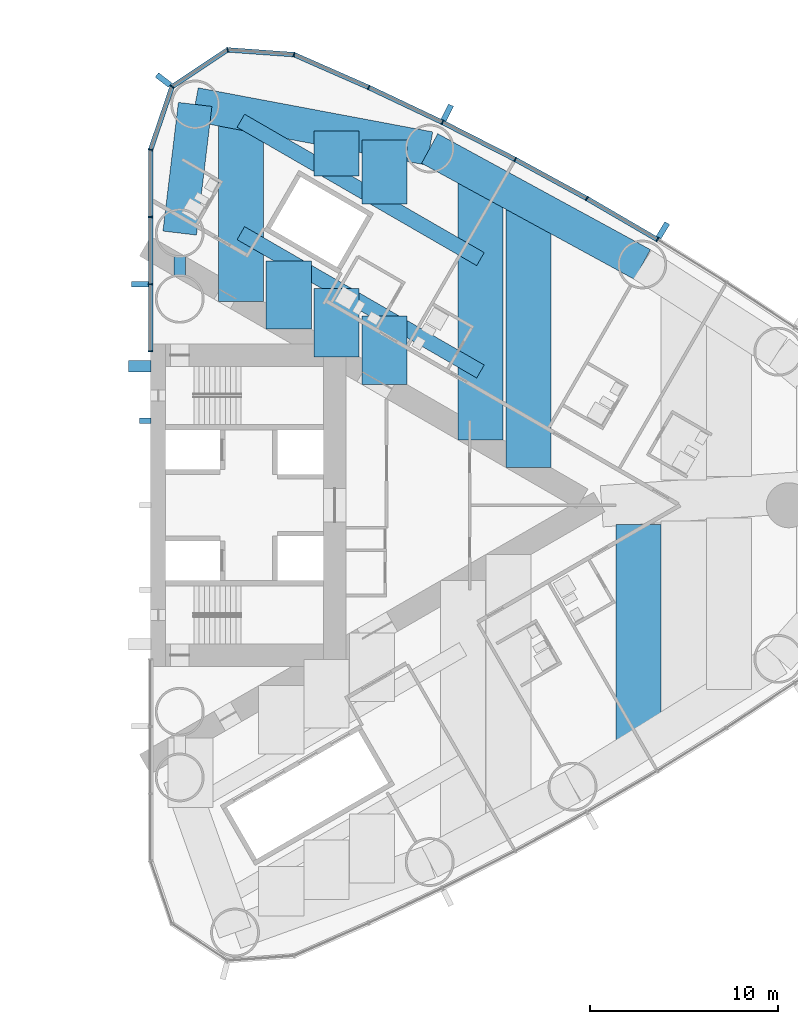
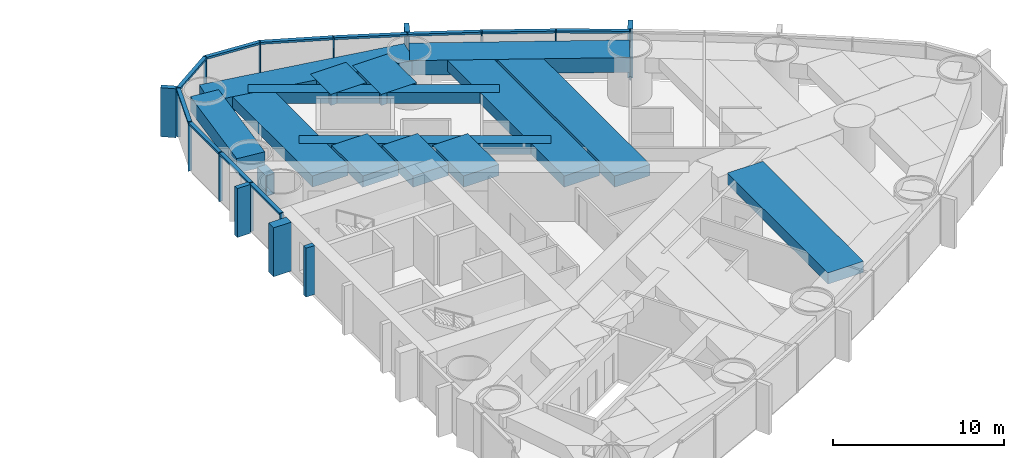
# One storey, part 7 of 18: 29 members, 15 beams, 1 element without a shape of its own.
"""IFC4 building model written with IfcOpenShell, lengths in metres."""

from ifc_helpers import new_model, si_unit, direction, frame, origin, origin_2d, place, context, subcontext, project, spatial, rectangle, hollow_rectangle, extrude, material, material_profile, profile_set, type_object, element, aggregate, save


model = new_model("IFC4")

# Units and contexts
model_context = context("Model", 3, precision=1e-05, world=origin(), true_north=direction((0.0, 1.0)))
body_context = subcontext(model_context, "Body", "Model", "MODEL_VIEW")
ifc_project = project(units=[si_unit("LENGTHUNIT", "METRE"), si_unit("AREAUNIT", "SQUARE_METRE"), si_unit("VOLUMEUNIT", "CUBIC_METRE"), si_unit("PLANEANGLEUNIT", "RADIAN"), si_unit("MASSUNIT", "GRAM", prefix="KILO")], contexts=[model_context])

# Site, building, storey
site_placement = place(None, origin())
site = spatial("IfcSite", under=ifc_project, at=site_placement, CompositionType="ELEMENT")
building_placement = place(site_placement, origin())
building = spatial("IfcBuilding", under=site, at=building_placement, Name="Lancet Gate Hotel", CompositionType="ELEMENT")
storey_placement = place(building_placement, frame((0.0, 0.0, 129.10009765625)))
storey = spatial("IfcBuildingStorey", under=building, at=storey_placement, Name="L34", CompositionType="ELEMENT", Elevation=129.10009765625)

# Curtain wall, members
ifc_material_1 = material(Name="Aluminium curtain wall", Category="aluminium")
curtain_wall_type = type_object("IfcCurtainWallType", Name="Tower unitised curtain wall", PredefinedType="USERDEFINED", material=ifc_material_1)
curtain_wall_placement = place(storey_placement, origin())
curtain_wall = element("IfcCurtainWall", 1, at=curtain_wall_placement, inside=storey, type_object=curtain_wall_type, Name="T2 L34 curtain wall 1", ObjectType="UNITISED CURTAIN WALL", PredefinedType="USERDEFINED")
ifc_material_2 = material(Name="Aluminium mullion", Category="aluminium")
ifc_material_profile_1 = material_profile(ifc_material_2, rectangle(XDim=0.06494140625, YDim=0.25, at=origin_2d()), Name="MULLION 65x250")
ifc_profile_set_1 = profile_set([ifc_material_profile_1], Name="Aluminium mullion")
member_type_1 = type_object("IfcMemberType", Name="Aluminium mullion 65x250", PredefinedType="MULLION", material=ifc_profile_set_1)
member_1_placement = place(storey_placement, frame((54.496337890625, 14.1552734375, 0.0), z_axis=(0.0, 0.0, 1.0), x_axis=(-0.856728030701, 0.515768437781, 0.0)))
member_1 = element("IfcMember", 2, at=member_1_placement, type_object=member_type_1, Name="T2 L34 curtain wall 1 mullion 23", PredefinedType="MULLION", context=body_context, shape_type="SweptSolid", body=[
    extrude(rectangle(XDim=0.06494140625, YDim=0.25, at=origin_2d()), origin(), (0.0, 0.0, 1.0), 3.5),
])
member_2_placement = place(storey_placement, frame((50.740478515625, 16.344482421875, 0.0), z_axis=(0.0, 0.0, 1.0), x_axis=(-0.871028838445, 0.491231882716, 0.0)))
member_2 = element("IfcMember", 3, at=member_2_placement, type_object=member_type_1, Name="T2 L34 curtain wall 1 mullion 24", PredefinedType="MULLION", context=body_context, shape_type="SweptSolid", body=[
    extrude(rectangle(XDim=0.06494140625, YDim=0.25, at=origin_2d()), origin(), (0.0, 0.0, 1.0), 3.5),
])
member_3_placement = place(storey_placement, frame((46.923828125, 18.426025390625, 0.0), z_axis=(0.0, 0.0, 1.0), x_axis=(-0.884627112962, 0.466299121822, 0.0)))
member_3 = element("IfcMember", 4, at=member_3_placement, type_object=member_type_1, Name="T2 L34 curtain wall 1 mullion 25", PredefinedType="MULLION", context=body_context, shape_type="SweptSolid", body=[
    extrude(rectangle(XDim=0.06494140625, YDim=0.25, at=origin_2d()), origin(), (0.0, 0.0, 1.0), 3.5),
])
member_4_placement = place(storey_placement, frame((43.0498046875, 20.398193359375, 0.0), z_axis=(0.0, 0.0, 1.0), x_axis=(-0.897511886496, 0.440990264743, 0.0)))
member_4 = element("IfcMember", 5, at=member_4_placement, type_object=member_type_1, Name="T2 L34 curtain wall 1 mullion 26", PredefinedType="MULLION", context=body_context, shape_type="SweptSolid", body=[
    extrude(rectangle(XDim=0.06494140625, YDim=0.25, at=origin_2d()), origin(), (0.0, 0.0, 1.0), 3.5),
])
member_5_placement = place(storey_placement, frame((39.12109375, 22.259765625, 0.0), z_axis=(0.0, 0.0, 1.0), x_axis=(-0.909672766767, 0.415325724465, 0.0)))
member_5 = element("IfcMember", 6, at=member_5_placement, type_object=member_type_1, Name="T2 L34 curtain wall 1 mullion 27", PredefinedType="MULLION", context=body_context, shape_type="SweptSolid", body=[
    extrude(rectangle(XDim=0.06494140625, YDim=0.25, at=origin_2d()), origin(), (0.0, 0.0, 1.0), 3.5),
])
member_6_placement = place(storey_placement, frame((35.141357421875, 24.009033203125, 0.0), z_axis=(0.0, 0.0, 1.0), x_axis=(-0.966317378791, 0.257353304711, 0.0)))
member_6 = element("IfcMember", 7, at=member_6_placement, type_object=member_type_1, Name="T2 L34 curtain wall 1 mullion 28", PredefinedType="MULLION", context=body_context, shape_type="SweptSolid", body=[
    extrude(rectangle(XDim=0.06494140625, YDim=0.25, at=origin_2d()), origin(), (0.0, 0.0, 1.0), 3.5),
])
member_7_placement = place(storey_placement, frame((31.60205078125, 24.26220703125, 0.0), z_axis=(0.0, 0.0, 1.0), x_axis=(-0.967157174963, -0.254179068604, 0.0)))
member_7 = element("IfcMember", 8, at=member_7_placement, type_object=member_type_1, Name="T2 L34 curtain wall 1 mullion 29", PredefinedType="MULLION", context=body_context, shape_type="SweptSolid", body=[
    extrude(rectangle(XDim=0.06494140625, YDim=0.25, at=origin_2d()), origin(), (0.0, 0.0, 1.0), 3.5),
])
member_8_placement = place(storey_placement, frame((28.64453125, 22.301513671875, 0.0), z_axis=(0.0, 0.0, 1.0), x_axis=(-0.610663954798, -0.79188984986, 0.0)))
member_8 = element("IfcMember", 9, at=member_8_placement, type_object=member_type_1, Name="T2 L34 curtain wall 1 mullion 30", PredefinedType="MULLION", context=body_context, shape_type="SweptSolid", body=[
    extrude(rectangle(XDim=0.06494140625, YDim=0.25, at=origin_2d()), origin(), (0.0, 0.0, 1.0), 3.5),
])
member_9_placement = place(storey_placement, frame((27.5, 18.94287109375, 0.0), z_axis=(0.0, 0.0, 1.0), x_axis=(-0.162738742557, -0.986669195663, 0.0)))
member_9 = element("IfcMember", 10, at=member_9_placement, type_object=member_type_1, Name="T2 L34 curtain wall 1 mullion 31", PredefinedType="MULLION", context=body_context, shape_type="SweptSolid", body=[
    extrude(rectangle(XDim=0.06494140625, YDim=0.25, at=origin_2d()), origin(), (0.0, 0.0, 1.0), 3.5),
])
member_10_placement = place(storey_placement, frame((27.5, 15.362060546875, 0.0), z_axis=(0.0, 0.0, 1.0), x_axis=(0.0, -1.0, 0.0)))
member_10 = element("IfcMember", 11, at=member_10_placement, type_object=member_type_1, Name="T2 L34 curtain wall 1 mullion 32", PredefinedType="MULLION", context=body_context, shape_type="SweptSolid", body=[
    extrude(rectangle(XDim=0.06494140625, YDim=0.25, at=origin_2d()), origin(), (0.0, 0.0, 1.0), 3.5),
])
member_11_placement = place(storey_placement, frame((27.5, 11.781005859375, 0.0), z_axis=(0.0, 0.0, 1.0), x_axis=(0.0, -1.0, 0.0)))
member_11 = element("IfcMember", 12, at=member_11_placement, type_object=member_type_1, Name="T2 L34 curtain wall 1 mullion 33", PredefinedType="MULLION", context=body_context, shape_type="SweptSolid", body=[
    extrude(rectangle(XDim=0.06494140625, YDim=0.25, at=origin_2d()), origin(), (0.0, 0.0, 1.0), 3.5),
])
member_12_placement = place(storey_placement, frame((27.5, 8.199951171875, 0.0), z_axis=(0.0, 0.0, 1.0), x_axis=(0.0, -1.0, 0.0)))
member_12 = element("IfcMember", 13, at=member_12_placement, type_object=member_type_1, Name="T2 L34 curtain wall 1 mullion 34", PredefinedType="MULLION", context=body_context, shape_type="SweptSolid", body=[
    extrude(rectangle(XDim=0.06494140625, YDim=0.25, at=origin_2d()), origin(), (0.0, 0.0, 1.0), 3.5),
])
ifc_material_3 = material(Name="Aluminium transom", Category="aluminium")
ifc_material_profile_2 = material_profile(ifc_material_3, rectangle(XDim=0.25, YDim=0.14990234375, at=origin_2d()), Name="TRANSOM 250x150")
ifc_profile_set_2 = profile_set([ifc_material_profile_2], Name="Aluminium transom")
member_type_2 = type_object("IfcMemberType", Name="Aluminium transom 250x150", PredefinedType="USERDEFINED", material=ifc_profile_set_2)
member_13_placement = place(storey_placement, frame((54.46826171875, 14.171630859375, 3.4248046875), z_axis=(-0.863973212152, 0.503537772847, 0.0), x_axis=(-0.503537772847, -0.863973212152, 0.0)))
member_13 = element("IfcMember", 14, at=member_13_placement, type_object=member_type_2, Name="T2 L34 curtain wall 1 transom 23", ObjectType="TRANSOM", PredefinedType="USERDEFINED", context=body_context, shape_type="SweptSolid", body=[
    extrude(rectangle(XDim=0.25, YDim=0.14990234375, at=origin_2d()), origin(), (0.0, 0.0, 1.0), 4.2822265625),
])
member_14_placement = place(storey_placement, frame((50.7119140625, 16.35986328125, 3.4248046875), z_axis=(-0.877906466435, 0.478832158685, 0.0), x_axis=(-0.478832158685, -0.877906466435, 0.0)))
member_14 = element("IfcMember", 15, at=member_14_placement, type_object=member_type_2, Name="T2 L34 curtain wall 1 transom 24", ObjectType="TRANSOM", PredefinedType="USERDEFINED", context=body_context, shape_type="SweptSolid", body=[
    extrude(rectangle(XDim=0.25, YDim=0.14990234375, at=origin_2d()), origin(), (0.0, 0.0, 1.0), 4.282470703125),
])
member_15_placement = place(storey_placement, frame((46.89501953125, 18.440673828125, 3.4248046875), z_axis=(-0.891165630033, 0.453678101574, 0.0), x_axis=(-0.453678101574, -0.891165630033, 0.0)))
member_15 = element("IfcMember", 16, at=member_15_placement, type_object=member_type_2, Name="T2 L34 curtain wall 1 transom 25", ObjectType="TRANSOM", PredefinedType="USERDEFINED", context=body_context, shape_type="SweptSolid", body=[
    extrude(rectangle(XDim=0.25, YDim=0.14990234375, at=origin_2d()), origin(), (0.0, 0.0, 1.0), 4.282470703125),
])
member_16_placement = place(storey_placement, frame((43.0205078125, 20.412109375, 3.4248046875), z_axis=(-0.903679787814, 0.428208875546, 0.0), x_axis=(-0.428208875546, -0.903679787814, 0.0)))
member_16 = element("IfcMember", 17, at=member_16_placement, type_object=member_type_2, Name="T2 L34 curtain wall 1 transom 26", ObjectType="TRANSOM", PredefinedType="USERDEFINED", context=body_context, shape_type="SweptSolid", body=[
    extrude(rectangle(XDim=0.25, YDim=0.14990234375, at=origin_2d()), origin(), (0.0, 0.0, 1.0), 4.282470703125),
])
member_17_placement = place(storey_placement, frame((39.09130859375, 22.27294921875, 3.4248046875), z_axis=(-0.915484772266, 0.402352621155, 0.0), x_axis=(-0.402352621155, -0.915484772266, 0.0)))
member_17 = element("IfcMember", 18, at=member_17_placement, type_object=member_type_2, Name="T2 L34 curtain wall 1 transom 27", ObjectType="TRANSOM", PredefinedType="USERDEFINED", context=body_context, shape_type="SweptSolid", body=[
    extrude(rectangle(XDim=0.25, YDim=0.14990234375, at=origin_2d()), origin(), (0.0, 0.0, 1.0), 4.281982421875),
])
member_18_placement = place(storey_placement, frame((35.10888671875, 24.01123046875, 3.4248046875), z_axis=(-0.997446232115, 0.071421383636, 0.0), x_axis=(-0.071421383636, -0.997446232115, 0.0)))
member_18 = element("IfcMember", 19, at=member_18_placement, type_object=member_type_2, Name="T2 L34 curtain wall 1 transom 28", ObjectType="TRANSOM", PredefinedType="USERDEFINED", context=body_context, shape_type="SweptSolid", body=[
    extrude(rectangle(XDim=0.25, YDim=0.14990234375, at=origin_2d()), origin(), (0.0, 0.0, 1.0), 3.483154296875),
])
member_19_placement = place(storey_placement, frame((31.574951171875, 24.244384765625, 3.4248046875), z_axis=(-0.833470854141, -0.552563421968, 0.0), x_axis=(0.552563421968, -0.833470854141, 0.0)))
member_19 = element("IfcMember", 20, at=member_19_placement, type_object=member_type_2, Name="T2 L34 curtain wall 1 transom 29", ObjectType="TRANSOM", PredefinedType="USERDEFINED", context=body_context, shape_type="SweptSolid", body=[
    extrude(rectangle(XDim=0.25, YDim=0.14990234375, at=origin_2d()), origin(), (0.0, 0.0, 1.0), 3.4833984375),
])
member_20_placement = place(storey_placement, frame((28.634033203125, 22.270751953125, 3.4248046875), z_axis=(-0.322549769135, -0.946552505903, 0.0), x_axis=(0.946552505903, -0.322549769135, 0.0)))
member_20 = element("IfcMember", 21, at=member_20_placement, type_object=member_type_2, Name="T2 L34 curtain wall 1 transom 30", ObjectType="TRANSOM", PredefinedType="USERDEFINED", context=body_context, shape_type="SweptSolid", body=[
    extrude(rectangle(XDim=0.25, YDim=0.14990234375, at=origin_2d()), origin(), (0.0, 0.0, 1.0), 3.4833984375),
])
member_21_placement = place(storey_placement, frame((27.5, 18.910400390625, 3.4248046875), z_axis=(0.0, -1.0, 0.0), x_axis=(1.0, 0.0, 0.0)))
member_21 = element("IfcMember", 22, at=member_21_placement, type_object=member_type_2, Name="T2 L34 curtain wall 1 transom 31", ObjectType="TRANSOM", PredefinedType="USERDEFINED", context=body_context, shape_type="SweptSolid", body=[
    extrude(rectangle(XDim=0.25, YDim=0.14990234375, at=origin_2d()), origin(), (0.0, 0.0, 1.0), 3.515869140625),
])
member_22_placement = place(storey_placement, frame((27.5, 15.329345703125, 3.4248046875), z_axis=(0.0, -1.0, 0.0), x_axis=(1.0, 0.0, 0.0)))
member_22 = element("IfcMember", 23, at=member_22_placement, type_object=member_type_2, Name="T2 L34 curtain wall 1 transom 32", ObjectType="TRANSOM", PredefinedType="USERDEFINED", context=body_context, shape_type="SweptSolid", body=[
    extrude(rectangle(XDim=0.25, YDim=0.14990234375, at=origin_2d()), origin(), (0.0, 0.0, 1.0), 3.515869140625),
])
member_23_placement = place(storey_placement, frame((27.5, 11.74853515625, 3.4248046875), z_axis=(0.0, -1.0, 0.0), x_axis=(1.0, 0.0, 0.0)))
member_23 = element("IfcMember", 24, at=member_23_placement, type_object=member_type_2, Name="T2 L34 curtain wall 1 transom 33", ObjectType="TRANSOM", PredefinedType="USERDEFINED", context=body_context, shape_type="SweptSolid", body=[
    extrude(rectangle(XDim=0.25, YDim=0.14990234375, at=origin_2d()), origin(), (0.0, 0.0, 1.0), 3.51611328125),
])

# Beams
ifc_material_4 = material(Name="Concrete C50/60", Category="concrete")
ifc_material_profile_3 = material_profile(ifc_material_4, rectangle(XDim=1.800048828125, YDim=1.050048828125, at=origin_2d()), Name="RC 1800x1050")
ifc_profile_set_3 = profile_set([ifc_material_profile_3], Name="Concrete C50/60")
beam_type_1 = type_object("IfcBeamType", Name="Edge beam RC 1800x1050", PredefinedType="SPANDREL", material=ifc_profile_set_3)
beam_1_placement = place(storey_placement, frame((53.697021484375, 12.827392578125, 2.724853515625), z_axis=(-0.87792015078, 0.478807068509, 0.0), x_axis=(-0.478807068509, -0.87792015078, 0.0)))
element("IfcBeam", 25, at=beam_1_placement, inside=storey, type_object=beam_type_1, Name="T2 edge beam EB1 L34", PredefinedType="SPANDREL", context=body_context, shape_type="SweptSolid", body=[
    extrude(rectangle(XDim=1.800048828125, YDim=1.050048828125, at=origin_2d()), origin(), (0.0, 0.0, 1.0), 12.906494140625),
])
beam_2_placement = place(storey_placement, frame((42.3662109375, 19.007080078125, 2.724853515625), z_axis=(-0.982797318081, 0.184687388776, 0.0), x_axis=(-0.184687388776, -0.982797318081, 0.0)))
element("IfcBeam", 26, at=beam_2_placement, inside=storey, type_object=beam_type_1, Name="T2 edge beam EB1 L34", PredefinedType="SPANDREL", context=body_context, shape_type="SweptSolid", body=[
    extrude(rectangle(XDim=1.800048828125, YDim=1.050048828125, at=origin_2d()), origin(), (0.0, 0.0, 1.0), 12.712890625),
])
beam_3_placement = place(storey_placement, frame((29.050048828125, 14.5, 2.724853515625), z_axis=(0.119062951196, 0.99288670736, 0.0), x_axis=(-0.99288670736, 0.119062951196, 0.0)))
element("IfcBeam", 27, at=beam_3_placement, inside=storey, type_object=beam_type_1, Name="T2 edge beam EB1 L34", PredefinedType="SPANDREL", context=body_context, shape_type="SweptSolid", body=[
    extrude(rectangle(XDim=1.800048828125, YDim=1.050048828125, at=origin_2d()), origin(), (0.0, 0.0, 1.0), 6.904052734375),
])

# Member
ifc_material_5 = material(Name="Concrete C60/75", Category="concrete")
ifc_material_profile_4 = material_profile(ifc_material_5, rectangle(XDim=0.60009765625, YDim=1.199951171875, at=origin_2d()), Name="FIN 600x1200")
ifc_profile_set_4 = profile_set([ifc_material_profile_4], Name="Concrete C60/75")
member_type_3 = type_object("IfcMemberType", Name="Exposed concrete buttress pilaster 600x1200", PredefinedType="USERDEFINED", material=ifc_profile_set_4)
member_24_placement = place(storey_placement, frame((26.909912109375, 7.39990234375, 0.0), z_axis=(0.0, 0.0, 1.0), x_axis=(0.0, 1.0, 0.0)))
element("IfcMember", 28, at=member_24_placement, inside=storey, type_object=member_type_3, Name="T2 buttress pilaster N L34", ObjectType="FIN", PredefinedType="USERDEFINED", context=body_context, shape_type="SweptSolid", body=[
    extrude(rectangle(XDim=0.60009765625, YDim=1.199951171875, at=origin_2d()), origin(), (0.0, 0.0, 1.0), 3.5),
])

ifc_material_6 = material(Name="Precast concrete C50/60", Category="concrete")
ifc_material_profile_5 = material_profile(ifc_material_6, rectangle(XDim=0.300048828125, YDim=0.89990234375, at=origin_2d()), Name="FIN 300x900")
ifc_profile_set_5 = profile_set([ifc_material_profile_5], Name="Precast concrete C50/60")
member_type_4 = type_object("IfcMemberType", Name="Exposed concrete fin 300x900", PredefinedType="USERDEFINED", material=ifc_profile_set_5)
member_25_placement = place(storey_placement, frame((54.79296875, 14.64794921875, 0.0), z_axis=(0.0, 0.0, 1.0), x_axis=(-0.856728030701, 0.515768437781, 0.0)))
member_25 = element("IfcMember", 29, at=member_25_placement, type_object=member_type_4, Name="T2 L34 curtain wall 1 fin 23", ObjectType="FIN", PredefinedType="USERDEFINED", context=body_context, shape_type="SweptSolid", body=[
    extrude(rectangle(XDim=0.300048828125, YDim=0.89990234375, at=origin_2d()), origin(), (0.0, 0.0, 1.0), 3.5),
])

member_26_placement = place(storey_placement, frame((43.30322265625, 20.914306640625, 0.0), z_axis=(0.0, 0.0, 1.0), x_axis=(-0.897511886496, 0.440990264743, 0.0)))
member_26 = element("IfcMember", 30, at=member_26_placement, type_object=member_type_4, Name="T2 L34 curtain wall 1 fin 26", ObjectType="FIN", PredefinedType="USERDEFINED", context=body_context, shape_type="SweptSolid", body=[
    extrude(rectangle(XDim=0.300048828125, YDim=0.89990234375, at=origin_2d()), origin(), (0.0, 0.0, 1.0), 3.5),
])

member_27_placement = place(storey_placement, frame((28.189208984375, 22.65283203125, 0.0), z_axis=(0.0, 0.0, 1.0), x_axis=(-0.610663954798, -0.79188984986, 0.0)))
member_27 = element("IfcMember", 31, at=member_27_placement, type_object=member_type_4, Name="T2 L34 curtain wall 1 fin 30", ObjectType="FIN", PredefinedType="USERDEFINED", context=body_context, shape_type="SweptSolid", body=[
    extrude(rectangle(XDim=0.300048828125, YDim=0.89990234375, at=origin_2d()), origin(), (0.0, 0.0, 1.0), 3.5),
])

member_28_placement = place(storey_placement, frame((26.925048828125, 11.781005859375, 0.0), z_axis=(0.0, 0.0, 1.0), x_axis=(0.0, -1.0, 0.0)))
member_28 = element("IfcMember", 32, at=member_28_placement, type_object=member_type_4, Name="T2 L34 curtain wall 1 fin 33", ObjectType="FIN", PredefinedType="USERDEFINED", context=body_context, shape_type="SweptSolid", body=[
    extrude(rectangle(XDim=0.300048828125, YDim=0.89990234375, at=origin_2d()), origin(), (0.0, 0.0, 1.0), 3.5),
])

aggregate(curtain_wall, [member_1, member_25, member_2, member_3, member_4, member_26, member_5, member_6, member_7, member_8, member_27, member_9, member_10, member_11, member_28, member_12, member_13, member_14, member_15, member_16, member_17, member_18, member_19, member_20, member_21, member_22, member_23])

ifc_material_7 = material(Name="Concrete C60/75", Category="concrete")
ifc_material_profile_6 = material_profile(ifc_material_7, rectangle(XDim=0.300048828125, YDim=0.60009765625, at=origin_2d()), Name="FIN 300x600")
ifc_profile_set_6 = profile_set([ifc_material_profile_6], Name="Concrete C60/75")
member_type_5 = type_object("IfcMemberType", Name="Exposed concrete rib 300x600", PredefinedType="USERDEFINED", material=ifc_profile_set_6)
member_29_placement = place(storey_placement, frame((27.2099609375, 4.5, 0.0), z_axis=(0.0, 0.0, 1.0), x_axis=(0.0, 1.0, 0.0)))
element("IfcMember", 33, at=member_29_placement, inside=storey, type_object=member_type_5, Name="T2 core rib 3 L34", ObjectType="FIN", PredefinedType="USERDEFINED", context=body_context, shape_type="SweptSolid", body=[
    extrude(rectangle(XDim=0.300048828125, YDim=0.60009765625, at=origin_2d()), origin(), (0.0, 0.0, 1.0), 3.5),
])

# Beams
ifc_material_8 = material(Name="Concrete C50/60", Category="concrete")
ifc_material_profile_7 = material_profile(ifc_material_8, rectangle(XDim=2.39990234375, YDim=0.800048828125, at=origin_2d()), Name="RC 2400x800")
ifc_profile_set_7 = profile_set([ifc_material_profile_7], Name="Concrete C50/60")
beam_type_2 = type_object("IfcBeamType", Name="Floor beam RC 2400x800", PredefinedType="BEAM", material=ifc_profile_set_7)
beam_4_placement = place(storey_placement, frame((32.306396484375, 10.851806640625, 2.849853515625), z_axis=(0.0, 1.0, 0.0), x_axis=(-1.0, 0.0, 0.0)))
element("IfcBeam", 34, at=beam_4_placement, inside=storey, type_object=beam_type_2, Name="T2 floor beam F02N L34", PredefinedType="BEAM", context=body_context, shape_type="SweptSolid", body=[
    extrude(rectangle(XDim=2.39990234375, YDim=0.800048828125, at=origin_2d()), origin(), (0.0, 0.0, 1.0), 10.0458984375),
])
beam_5_placement = place(storey_placement, frame((45.072265625, 3.4814453125, 2.849853515625), z_axis=(0.0, 1.0, 0.0), x_axis=(-1.0, 0.0, 0.0)))
element("IfcBeam", 35, at=beam_5_placement, inside=storey, type_object=beam_type_2, Name="T2 floor beam F10N L34", PredefinedType="BEAM", context=body_context, shape_type="SweptSolid", body=[
    extrude(rectangle(XDim=2.39990234375, YDim=0.800048828125, at=origin_2d()), origin(), (0.0, 0.0, 1.0), 14.0498046875),
])
beam_6_placement = place(storey_placement, frame((47.62548828125, 2.00732421875, 2.849853515625), z_axis=(0.0, 1.0, 0.0), x_axis=(-1.0, 0.0, 0.0)))
element("IfcBeam", 36, at=beam_6_placement, inside=storey, type_object=beam_type_2, Name="T2 floor beam F12N L34", PredefinedType="BEAM", context=body_context, shape_type="SweptSolid", body=[
    extrude(rectangle(XDim=2.39990234375, YDim=0.800048828125, at=origin_2d()), origin(), (0.0, 0.0, 1.0), 14.13134765625),
])
beam_7_placement = place(storey_placement, frame((53.502197265625, -12.804443359375, 2.849853515625), z_axis=(0.0, 1.0, 0.0), x_axis=(-1.0, 0.0, 0.0)))
element("IfcBeam", 37, at=beam_7_placement, inside=storey, type_object=beam_type_2, Name="T2 floor beam F13S L34", PredefinedType="BEAM", context=body_context, shape_type="SweptSolid", body=[
    extrude(rectangle(XDim=2.39990234375, YDim=0.800048828125, at=origin_2d()), origin(), (0.0, 0.0, 1.0), 11.78564453125),
])
beam_8_placement = place(storey_placement, frame((34.859619140625, 9.377685546875, 2.849853515625), z_axis=(0.0, 1.0, 0.0), x_axis=(-1.0, 0.0, 0.0)))
element("IfcBeam", 38, at=beam_8_placement, inside=storey, type_object=beam_type_2, Name="T2 floor beam F04NA L34", PredefinedType="BEAM", context=body_context, shape_type="SweptSolid", body=[
    extrude(rectangle(XDim=2.39990234375, YDim=0.800048828125, at=origin_2d()), origin(), (0.0, 0.0, 1.0), 3.645751953125),
])
beam_9_placement = place(storey_placement, frame((37.412841796875, 7.903564453125, 2.849853515625), z_axis=(0.0, 1.0, 0.0), x_axis=(-1.0, 0.0, 0.0)))
element("IfcBeam", 39, at=beam_9_placement, inside=storey, type_object=beam_type_2, Name="T2 floor beam F06NA L34", PredefinedType="BEAM", context=body_context, shape_type="SweptSolid", body=[
    extrude(rectangle(XDim=2.39990234375, YDim=0.800048828125, at=origin_2d()), origin(), (0.0, 0.0, 1.0), 3.6455078125),
])
beam_10_placement = place(storey_placement, frame((37.412841796875, 17.537109375, 2.849853515625), z_axis=(0.0, 1.0, 0.0), x_axis=(-1.0, 0.0, 0.0)))
element("IfcBeam", 40, at=beam_10_placement, inside=storey, type_object=beam_type_2, Name="T2 floor beam F06NB L34", PredefinedType="BEAM", context=body_context, shape_type="SweptSolid", body=[
    extrude(rectangle(XDim=2.39990234375, YDim=0.800048828125, at=origin_2d()), origin(), (0.0, 0.0, 1.0), 2.40087890625),
])
beam_11_placement = place(storey_placement, frame((39.9658203125, 6.429443359375, 2.849853515625), z_axis=(0.0, 1.0, 0.0), x_axis=(-1.0, 0.0, 0.0)))
element("IfcBeam", 41, at=beam_11_placement, inside=storey, type_object=beam_type_2, Name="T2 floor beam F08NA L34", PredefinedType="BEAM", context=body_context, shape_type="SweptSolid", body=[
    extrude(rectangle(XDim=2.39990234375, YDim=0.800048828125, at=origin_2d()), origin(), (0.0, 0.0, 1.0), 3.64501953125),
])
beam_12_placement = place(storey_placement, frame((39.9658203125, 16.062744140625, 2.849853515625), z_axis=(0.0, 1.0, 0.0), x_axis=(-1.0, 0.0, 0.0)))
element("IfcBeam", 42, at=beam_12_placement, inside=storey, type_object=beam_type_2, Name="T2 floor beam F08NB L34", PredefinedType="BEAM", context=body_context, shape_type="SweptSolid", body=[
    extrude(rectangle(XDim=2.39990234375, YDim=0.800048828125, at=origin_2d()), origin(), (0.0, 0.0, 1.0), 3.3955078125),
])
ifc_material_9 = material(Name="Steel S460QL", Category="steel")
ifc_material_profile_8 = material_profile(ifc_material_9, hollow_rectangle(XDim=0.60009765625, YDim=1.5, WallThickness=0.050048828125, at=origin_2d()), Name="BOX 1500x600x50")
ifc_profile_set_8 = profile_set([ifc_material_profile_8], Name="Steel S460QL")
beam_type_3 = type_object("IfcBeamType", Name="Inner-face link beam BOX 1500x600x50", PredefinedType="BEAM", material=ifc_profile_set_8)
beam_13_placement = place(storey_placement, frame((29.050048828125, 12.25, 2.5), z_axis=(0.0, 1.0, 0.0), x_axis=(-1.0, 0.0, 0.0)))
element("IfcBeam", 43, at=beam_13_placement, inside=storey, type_object=beam_type_3, Name="T2 inner-face link beam LK1 L34", PredefinedType="BEAM", context=body_context, shape_type="SweptSolid", body=[
    extrude(hollow_rectangle(XDim=0.60009765625, YDim=1.5, WallThickness=0.050048828125, at=origin_2d()), origin(), (0.0, 0.0, 1.0), 1.0),
])
ifc_material_10 = material(Name="Steel S460QL", Category="steel")
ifc_material_profile_9 = material_profile(ifc_material_10, hollow_rectangle(XDim=0.800048828125, YDim=0.800048828125, WallThickness=0.080078125, at=origin_2d()), Name="BOX 800x800x80")
ifc_profile_set_9 = profile_set([ifc_material_profile_9], Name="Steel S460QL")
beam_type_4 = type_object("IfcBeamType", Name="Trimmer beam BOX 800x800x80", PredefinedType="BEAM", material=ifc_profile_set_9)
beam_14_placement = place(storey_placement, frame((32.306396484375, 20.48583984375, 2.849853515625), z_axis=(0.86598286195, -0.500073677381, 0.0), x_axis=(0.500073677381, 0.86598286195, 0.0)))
element("IfcBeam", 44, at=beam_14_placement, inside=storey, type_object=beam_type_4, Name="T2 trimmer beam TR03N L34", PredefinedType="BEAM", context=body_context, shape_type="SweptSolid", body=[
    extrude(hollow_rectangle(XDim=0.800048828125, YDim=0.800048828125, WallThickness=0.080078125, at=origin_2d()), origin(), (0.0, 0.0, 1.0), 14.741455078125),
])
beam_15_placement = place(storey_placement, frame((32.306396484375, 14.497802734375, 2.849853515625), z_axis=(0.865975689888, -0.500086097111, 0.0), x_axis=(0.500086097111, 0.865975689888, 0.0)))
element("IfcBeam", 45, at=beam_15_placement, inside=storey, type_object=beam_type_4, Name="T2 trimmer beam TR04N L34", PredefinedType="BEAM", context=body_context, shape_type="SweptSolid", body=[
    extrude(hollow_rectangle(XDim=0.800048828125, YDim=0.800048828125, WallThickness=0.080078125, at=origin_2d()), origin(), (0.0, 0.0, 1.0), 14.74169921875),
])

save(model, "model.ifc")
